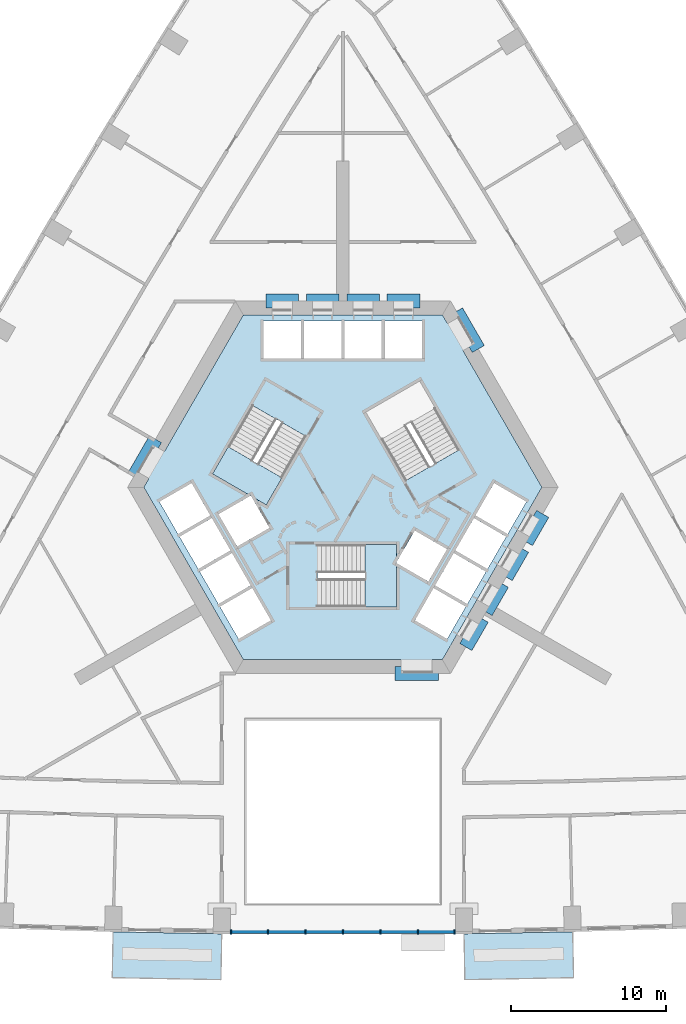
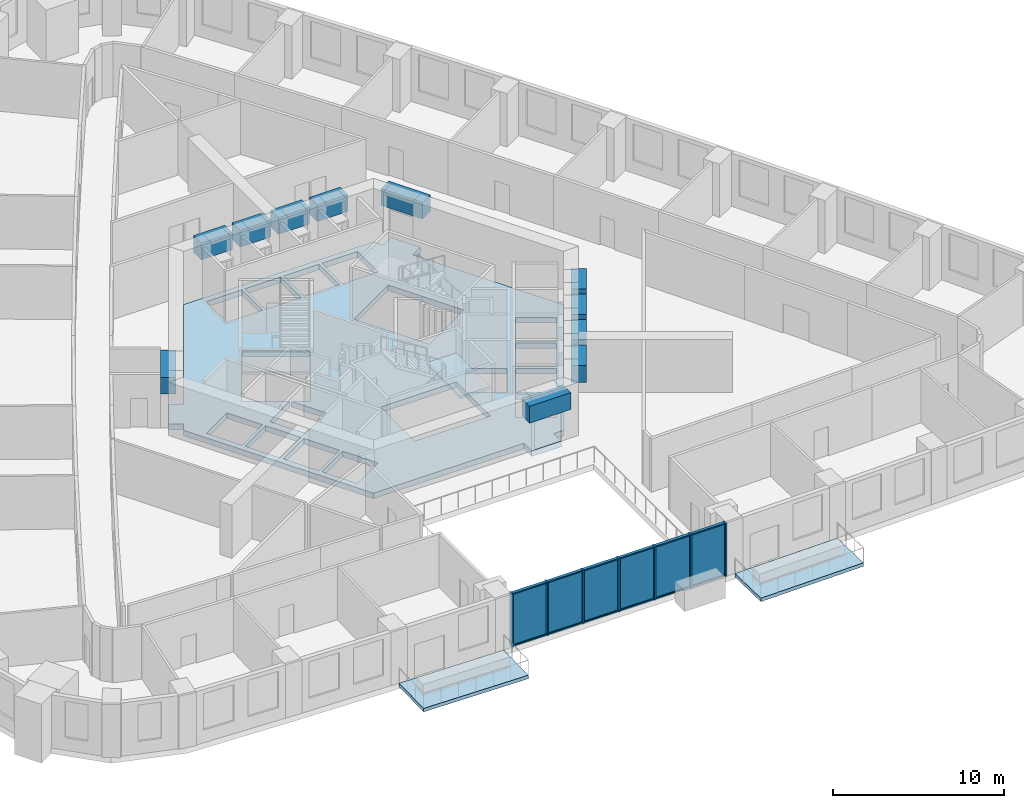
# One storey, part 2 of 13: 19 members, 11 beams, 6 plates, 5 slabs, 3 elements without a shape of their own.
"""IFC4 building model written with IfcOpenShell, lengths in metres."""

from ifc_helpers import new_model, si_unit, direction, frame, origin, origin_2d, place, context, subcontext, project, spatial, polyline, rectangle, outline, extrude, material, layer, layer_set, material_profile, profile_set, type_object, element, aggregate, save


model = new_model("IFC4")

# Units and contexts
model_context = context("Model", 3, precision=1e-05, world=origin(), true_north=direction((0.0, 1.0)))
body_context = subcontext(model_context, "Body", "Model", "MODEL_VIEW")
ifc_project = project(units=[si_unit("LENGTHUNIT", "METRE"), si_unit("AREAUNIT", "SQUARE_METRE"), si_unit("VOLUMEUNIT", "CUBIC_METRE"), si_unit("PLANEANGLEUNIT", "RADIAN"), si_unit("MASSUNIT", "GRAM", prefix="KILO")], contexts=[model_context])

# Site, building, storey
site_placement = place(None, origin())
site = spatial("IfcSite", under=ifc_project, at=site_placement, CompositionType="ELEMENT")
building_placement = place(site_placement, origin())
building = spatial("IfcBuilding", under=site, at=building_placement, Name="Entoto Arch Interchange Tower", CompositionType="ELEMENT")
storey_placement = place(building_placement, frame((0.0, 0.0, 90.800048828125)))
storey = spatial("IfcBuildingStorey", under=building, at=storey_placement, Name="L19", CompositionType="ELEMENT", Elevation=90.800048828125)

# Beams
ifc_material_1 = material(Name="Concrete C60/75", Category="concrete")
ifc_material_profile_1 = material_profile(ifc_material_1, rectangle(XDim=0.89990234375, YDim=1.199951171875, at=origin_2d()))
ifc_profile_set_1 = profile_set([ifc_material_profile_1], Name="Concrete C60/75")
beam_type = type_object("IfcBeamType", Name="Coupling beam RC 900x1200 C60/75", PredefinedType="BEAM", material=ifc_profile_set_1)
beam_1_placement = place(storey_placement, frame((8.717041015625, 11.402099609375, 3.0), z_axis=(-0.500200581029, 0.865909567298, 0.0), x_axis=(-0.865909567298, -0.500200581029, 0.0)))
element("IfcBeam", 1, at=beam_1_placement, inside=storey, type_object=beam_type, Name="Coupling beam NE L19", PredefinedType="BEAM", context=body_context, shape_type="SweptSolid", body=[
    extrude(rectangle(XDim=0.89990234375, YDim=1.199951171875, at=origin_2d()), origin(), (0.0, 0.0, 1.0), 2.799072265625),
])
beam_2_placement = place(storey_placement, frame((4.949951171875, 14.5, 3.0), z_axis=(-1.0, 0.0, 0.0), x_axis=(0.0, -1.0, 0.0)))
element("IfcBeam", 2, at=beam_2_placement, inside=storey, type_object=beam_type, Name="Coupling beam N L19", PredefinedType="BEAM", context=body_context, shape_type="SweptSolid", body=[
    extrude(rectangle(XDim=0.89990234375, YDim=1.199951171875, at=origin_2d()), origin(), (0.0, 0.0, 1.0), 2.099853515625),
])
for number, where, z_axis, x_axis, name in (
    (3, (2.35009765625, 14.5, 3.0), (-1.0, 0.0, 0.0), (0.0, -1.0, 0.0), "Coupling beam N L19"),
    (4, (-0.25, 14.5, 3.0), (-1.0, 0.0, 0.0), (0.0, -1.0, 0.0), "Coupling beam N L19"),
):
    element("IfcBeam", number, at=place(storey_placement, frame(where, z_axis=z_axis, x_axis=x_axis)), inside=storey, type_object=beam_type, Name=name, PredefinedType="BEAM", context=body_context, shape_type="SweptSolid", body=[
        extrude(rectangle(XDim=0.89990234375, YDim=1.199951171875, at=origin_2d()), origin(), (0.0, 0.0, 1.0), 2.10009765625),
    ])
beam_3_placement = place(storey_placement, frame((-2.85009765625, 14.5, 3.0), z_axis=(-1.0, 0.0, 0.0), x_axis=(0.0, -1.0, 0.0)))
element("IfcBeam", 5, at=beam_3_placement, inside=storey, type_object=beam_type, Name="Coupling beam N L19", PredefinedType="BEAM", context=body_context, shape_type="SweptSolid", body=[
    extrude(rectangle(XDim=0.89990234375, YDim=1.199951171875, at=origin_2d()), origin(), (0.0, 0.0, 1.0), 2.099853515625),
])
beam_4_placement = place(storey_placement, frame((-12.06689453125, 5.597900390625, 3.0), z_axis=(-0.500200581029, -0.865909567298, 0.0), x_axis=(0.865909567298, -0.500200581029, 0.0)))
element("IfcBeam", 6, at=beam_4_placement, inside=storey, type_object=beam_type, Name="Coupling beam NW L19", PredefinedType="BEAM", context=body_context, shape_type="SweptSolid", body=[
    extrude(rectangle(XDim=0.89990234375, YDim=1.199951171875, at=origin_2d()), origin(), (0.0, 0.0, 1.0), 2.799072265625),
])
beam_5_placement = place(storey_placement, frame((3.35009765625, -9.5, 3.0), z_axis=(1.0, 0.0, 0.0), x_axis=(0.0, 1.0, 0.0)))
element("IfcBeam", 7, at=beam_5_placement, inside=storey, type_object=beam_type, Name="Coupling beam S L19", PredefinedType="BEAM", context=body_context, shape_type="SweptSolid", body=[
    extrude(rectangle(XDim=0.89990234375, YDim=1.199951171875, at=origin_2d()), origin(), (0.0, 0.0, 1.0), 2.7998046875),
])
for number, where, z_axis, x_axis, name in (
    (8, (7.9169921875, -7.785888671875, 3.0), (0.500178781653, 0.865922159541, 0.0), (-0.865922159541, 0.500178781653, 0.0), "Coupling beam SE L19"),
    (9, (9.217041015625, -5.534912109375, 3.0), (0.500178781653, 0.865922159541, 0.0), (-0.865922159541, 0.500178781653, 0.0), "Coupling beam SE L19"),
):
    element("IfcBeam", number, at=place(storey_placement, frame(where, z_axis=z_axis, x_axis=x_axis)), inside=storey, type_object=beam_type, Name=name, PredefinedType="BEAM", context=body_context, shape_type="SweptSolid", body=[
        extrude(rectangle(XDim=0.89990234375, YDim=1.199951171875, at=origin_2d()), origin(), (0.0, 0.0, 1.0), 2.099365234375),
    ])
beam_6_placement = place(storey_placement, frame((10.51708984375, -3.282958984375, 3.0), z_axis=(0.500091574638, 0.865972526687, 0.0), x_axis=(-0.865972526687, 0.500091574638, 0.0)))
element("IfcBeam", 10, at=beam_6_placement, inside=storey, type_object=beam_type, Name="Coupling beam SE L19", PredefinedType="BEAM", context=body_context, shape_type="SweptSolid", body=[
    extrude(rectangle(XDim=0.89990234375, YDim=1.199951171875, at=origin_2d()), origin(), (0.0, 0.0, 1.0), 2.09912109375),
])
beam_7_placement = place(storey_placement, frame((11.81689453125, -1.031982421875, 3.0), z_axis=(0.500178781653, 0.865922159541, 0.0), x_axis=(-0.865922159541, 0.500178781653, 0.0)))
element("IfcBeam", 11, at=beam_7_placement, inside=storey, type_object=beam_type, Name="Coupling beam SE L19", PredefinedType="BEAM", context=body_context, shape_type="SweptSolid", body=[
    extrude(rectangle(XDim=0.89990234375, YDim=1.199951171875, at=origin_2d()), origin(), (0.0, 0.0, 1.0), 2.099365234375),
])

# Curtain wall, members
ifc_material_2 = material(Name="Aluminium, anodised", Category="aluminium")
curtain_wall_type = type_object("IfcCurtainWallType", Name="CURTAIN WALL ATRIUM", PredefinedType="NOTDEFINED", material=ifc_material_2)
curtain_wall_placement = place(storey_placement, origin())
curtain_wall = element("IfcCurtainWall", 12, at=curtain_wall_placement, inside=storey, type_object=curtain_wall_type, Name="Atrium glazing S-04 L19", PredefinedType="NOTDEFINED")
ifc_material_profile_2 = material_profile(ifc_material_2, rectangle(XDim=0.300048828125, YDim=0.10009765625, at=origin_2d()))
ifc_profile_set_2 = profile_set([ifc_material_profile_2], Name="Aluminium, anodised")
member_type_1 = type_object("IfcMemberType", Name="MULLION ATRIUM 100x300", PredefinedType="MULLION", material=ifc_profile_set_2)
member_1_placement = place(storey_placement, frame((-7.199951171875, -26.1259765625, 0.0), z_axis=(0.0, 0.0, 1.0), x_axis=(0.0, 1.0, 0.0)))
member_1 = element("IfcMember", 13, at=member_1_placement, type_object=member_type_1, Name="CWA mullion 1", PredefinedType="MULLION", context=body_context, shape_type="SweptSolid", body=[
    extrude(rectangle(XDim=0.300048828125, YDim=0.10009765625, at=origin_2d()), origin(), (0.0, 0.0, 1.0), 3.800048828125),
])
member_2_placement = place(storey_placement, frame((-4.833251953125, -26.1259765625, 0.0), z_axis=(0.0, 0.0, 1.0), x_axis=(0.0, 1.0, 0.0)))
member_2 = element("IfcMember", 14, at=member_2_placement, type_object=member_type_1, Name="CWA mullion 2", PredefinedType="MULLION", context=body_context, shape_type="SweptSolid", body=[
    extrude(rectangle(XDim=0.300048828125, YDim=0.10009765625, at=origin_2d()), origin(), (0.0, 0.0, 1.0), 3.800048828125),
])
member_3_placement = place(storey_placement, frame((-2.416748046875, -26.1259765625, 0.0), z_axis=(0.0, 0.0, 1.0), x_axis=(0.0, 1.0, 0.0)))
member_3 = element("IfcMember", 15, at=member_3_placement, type_object=member_type_1, Name="CWA mullion 3", PredefinedType="MULLION", context=body_context, shape_type="SweptSolid", body=[
    extrude(rectangle(XDim=0.300048828125, YDim=0.10009765625, at=origin_2d()), origin(), (0.0, 0.0, 1.0), 3.800048828125),
])
member_4_placement = place(storey_placement, frame((0.0, -26.1259765625, 0.0), z_axis=(0.0, 0.0, 1.0), x_axis=(0.0, 1.0, 0.0)))
member_4 = element("IfcMember", 16, at=member_4_placement, type_object=member_type_1, Name="CWA mullion 4", PredefinedType="MULLION", context=body_context, shape_type="SweptSolid", body=[
    extrude(rectangle(XDim=0.300048828125, YDim=0.10009765625, at=origin_2d()), origin(), (0.0, 0.0, 1.0), 3.800048828125),
])
member_5_placement = place(storey_placement, frame((2.416748046875, -26.1259765625, 0.0), z_axis=(0.0, 0.0, 1.0), x_axis=(0.0, 1.0, 0.0)))
member_5 = element("IfcMember", 17, at=member_5_placement, type_object=member_type_1, Name="CWA mullion 5", PredefinedType="MULLION", context=body_context, shape_type="SweptSolid", body=[
    extrude(rectangle(XDim=0.300048828125, YDim=0.10009765625, at=origin_2d()), origin(), (0.0, 0.0, 1.0), 3.800048828125),
])
member_6_placement = place(storey_placement, frame((4.833251953125, -26.1259765625, 0.0), z_axis=(0.0, 0.0, 1.0), x_axis=(0.0, 1.0, 0.0)))
member_6 = element("IfcMember", 18, at=member_6_placement, type_object=member_type_1, Name="CWA mullion 6", PredefinedType="MULLION", context=body_context, shape_type="SweptSolid", body=[
    extrude(rectangle(XDim=0.300048828125, YDim=0.10009765625, at=origin_2d()), origin(), (0.0, 0.0, 1.0), 3.800048828125),
])
member_7_placement = place(storey_placement, frame((7.199951171875, -26.1259765625, 0.0), z_axis=(0.0, 0.0, 1.0), x_axis=(0.0, 1.0, 0.0)))
member_7 = element("IfcMember", 19, at=member_7_placement, type_object=member_type_1, Name="CWA mullion 7", PredefinedType="MULLION", context=body_context, shape_type="SweptSolid", body=[
    extrude(rectangle(XDim=0.300048828125, YDim=0.10009765625, at=origin_2d()), origin(), (0.0, 0.0, 1.0), 3.800048828125),
])
ifc_material_profile_3 = material_profile(ifc_material_2, rectangle(XDim=0.199951171875, YDim=0.080078125, at=origin_2d()))
ifc_profile_set_3 = profile_set([ifc_material_profile_3], Name="Aluminium, anodised")
member_type_2 = type_object("IfcMemberType", Name="TRANSOM ATRIUM 80x200", PredefinedType="USERDEFINED", material=ifc_profile_set_3)
member_8_placement = place(storey_placement, frame((-7.14990234375, -26.1259765625, 0.0400390625), z_axis=(1.0, 0.0, 0.0), x_axis=(0.0, 1.0, 0.0)))
member_8 = element("IfcMember", 20, at=member_8_placement, type_object=member_type_2, Name="CWA transom 1.1", ObjectType="TRANSOM", PredefinedType="USERDEFINED", context=body_context, shape_type="SweptSolid", body=[
    extrude(rectangle(XDim=0.199951171875, YDim=0.080078125, at=origin_2d()), origin(), (0.0, 0.0, 1.0), 2.2666015625),
])
member_9_placement = place(storey_placement, frame((-7.14990234375, -26.1259765625, 3.760009765625), z_axis=(1.0, 0.0, 0.0), x_axis=(0.0, 1.0, 0.0)))
member_9 = element("IfcMember", 21, at=member_9_placement, type_object=member_type_2, Name="CWA transom 1.2", ObjectType="TRANSOM", PredefinedType="USERDEFINED", context=body_context, shape_type="SweptSolid", body=[
    extrude(rectangle(XDim=0.199951171875, YDim=0.080078125, at=origin_2d()), origin(), (0.0, 0.0, 1.0), 2.2666015625),
])
member_10_placement = place(storey_placement, frame((-4.783447265625, -26.1259765625, 0.0400390625), z_axis=(1.0, 0.0, 0.0), x_axis=(0.0, 1.0, 0.0)))
member_10 = element("IfcMember", 22, at=member_10_placement, type_object=member_type_2, Name="CWA transom 2.1", ObjectType="TRANSOM", PredefinedType="USERDEFINED", context=body_context, shape_type="SweptSolid", body=[
    extrude(rectangle(XDim=0.199951171875, YDim=0.080078125, at=origin_2d()), origin(), (0.0, 0.0, 1.0), 2.31689453125),
])
member_11_placement = place(storey_placement, frame((-4.783447265625, -26.1259765625, 3.760009765625), z_axis=(1.0, 0.0, 0.0), x_axis=(0.0, 1.0, 0.0)))
member_11 = element("IfcMember", 23, at=member_11_placement, type_object=member_type_2, Name="CWA transom 2.2", ObjectType="TRANSOM", PredefinedType="USERDEFINED", context=body_context, shape_type="SweptSolid", body=[
    extrude(rectangle(XDim=0.199951171875, YDim=0.080078125, at=origin_2d()), origin(), (0.0, 0.0, 1.0), 2.31689453125),
])
member_12_placement = place(storey_placement, frame((-2.36669921875, -26.1259765625, 0.0400390625), z_axis=(1.0, 0.0, 0.0), x_axis=(0.0, 1.0, 0.0)))
member_12 = element("IfcMember", 24, at=member_12_placement, type_object=member_type_2, Name="CWA transom 3.1", ObjectType="TRANSOM", PredefinedType="USERDEFINED", context=body_context, shape_type="SweptSolid", body=[
    extrude(rectangle(XDim=0.199951171875, YDim=0.080078125, at=origin_2d()), origin(), (0.0, 0.0, 1.0), 2.316650390625),
])
member_13_placement = place(storey_placement, frame((-2.36669921875, -26.1259765625, 3.760009765625), z_axis=(1.0, 0.0, 0.0), x_axis=(0.0, 1.0, 0.0)))
member_13 = element("IfcMember", 25, at=member_13_placement, type_object=member_type_2, Name="CWA transom 3.2", ObjectType="TRANSOM", PredefinedType="USERDEFINED", context=body_context, shape_type="SweptSolid", body=[
    extrude(rectangle(XDim=0.199951171875, YDim=0.080078125, at=origin_2d()), origin(), (0.0, 0.0, 1.0), 2.316650390625),
])
member_14_placement = place(storey_placement, frame((0.050048828125, -26.1259765625, 0.0400390625), z_axis=(1.0, 0.0, 0.0), x_axis=(0.0, 1.0, 0.0)))
member_14 = element("IfcMember", 26, at=member_14_placement, type_object=member_type_2, Name="CWA transom 4.1", ObjectType="TRANSOM", PredefinedType="USERDEFINED", context=body_context, shape_type="SweptSolid", body=[
    extrude(rectangle(XDim=0.199951171875, YDim=0.080078125, at=origin_2d()), origin(), (0.0, 0.0, 1.0), 2.316650390625),
])
member_15_placement = place(storey_placement, frame((0.050048828125, -26.1259765625, 3.760009765625), z_axis=(1.0, 0.0, 0.0), x_axis=(0.0, 1.0, 0.0)))
member_15 = element("IfcMember", 27, at=member_15_placement, type_object=member_type_2, Name="CWA transom 4.2", ObjectType="TRANSOM", PredefinedType="USERDEFINED", context=body_context, shape_type="SweptSolid", body=[
    extrude(rectangle(XDim=0.199951171875, YDim=0.080078125, at=origin_2d()), origin(), (0.0, 0.0, 1.0), 2.316650390625),
])
member_16_placement = place(storey_placement, frame((2.466552734375, -26.1259765625, 0.0400390625), z_axis=(1.0, 0.0, 0.0), x_axis=(0.0, 1.0, 0.0)))
member_16 = element("IfcMember", 28, at=member_16_placement, type_object=member_type_2, Name="CWA transom 5.1", ObjectType="TRANSOM", PredefinedType="USERDEFINED", context=body_context, shape_type="SweptSolid", body=[
    extrude(rectangle(XDim=0.199951171875, YDim=0.080078125, at=origin_2d()), origin(), (0.0, 0.0, 1.0), 2.31689453125),
])
member_17_placement = place(storey_placement, frame((2.466552734375, -26.1259765625, 3.760009765625), z_axis=(1.0, 0.0, 0.0), x_axis=(0.0, 1.0, 0.0)))
member_17 = element("IfcMember", 29, at=member_17_placement, type_object=member_type_2, Name="CWA transom 5.2", ObjectType="TRANSOM", PredefinedType="USERDEFINED", context=body_context, shape_type="SweptSolid", body=[
    extrude(rectangle(XDim=0.199951171875, YDim=0.080078125, at=origin_2d()), origin(), (0.0, 0.0, 1.0), 2.31689453125),
])
member_18_placement = place(storey_placement, frame((4.88330078125, -26.1259765625, 0.0400390625), z_axis=(1.0, 0.0, 0.0), x_axis=(0.0, 1.0, 0.0)))
member_18 = element("IfcMember", 30, at=member_18_placement, type_object=member_type_2, Name="CWA transom 6.1", ObjectType="TRANSOM", PredefinedType="USERDEFINED", context=body_context, shape_type="SweptSolid", body=[
    extrude(rectangle(XDim=0.199951171875, YDim=0.080078125, at=origin_2d()), origin(), (0.0, 0.0, 1.0), 2.2666015625),
])
member_19_placement = place(storey_placement, frame((4.88330078125, -26.1259765625, 3.760009765625), z_axis=(1.0, 0.0, 0.0), x_axis=(0.0, 1.0, 0.0)))
member_19 = element("IfcMember", 31, at=member_19_placement, type_object=member_type_2, Name="CWA transom 6.2", ObjectType="TRANSOM", PredefinedType="USERDEFINED", context=body_context, shape_type="SweptSolid", body=[
    extrude(rectangle(XDim=0.199951171875, YDim=0.080078125, at=origin_2d()), origin(), (0.0, 0.0, 1.0), 2.2666015625),
])

# Slabs
ifc_material_3 = material(Name="Board-marked precast concrete C50/60", Category="concrete")
ifc_layer_1 = layer(ifc_material_3, 0.25)
ifc_layer_set_1 = layer_set([ifc_layer_1], Name="Board-marked precast concrete C50/60")
slab_type_1 = type_object("IfcSlabType", Name="BALCONY DECK PRECAST 250", PredefinedType="FLOOR", material=ifc_layer_set_1)
slab_1_placement = place(storey_placement, frame((0.0, 0.0, -0.25)))
element("IfcSlab", 32, at=slab_1_placement, inside=storey, type_object=slab_type_1, Name="Planted balcony S-03 L19", PredefinedType="FLOOR", context=body_context, shape_type="SweptSolid", body=[
    extrude(outline(polyline([(-14.794921875, -26.1220703125), (-7.800048828125, -26.2509765625), (-7.85400390625, -29.199951171875), (-14.84912109375, -29.071044921875), (-14.794921875, -26.1220703125)])), origin(), (0.0, 0.0, 1.0), 0.25),
])
slab_2_placement = place(storey_placement, frame((0.0, 0.0, -0.25)))
element("IfcSlab", 33, at=slab_2_placement, inside=storey, type_object=slab_type_1, Name="Planted balcony S-05 L19", PredefinedType="FLOOR", context=body_context, shape_type="SweptSolid", body=[
    extrude(outline(polyline([(7.800048828125, -26.2509765625), (14.794921875, -26.1220703125), (14.84912109375, -29.071044921875), (7.85400390625, -29.199951171875), (7.800048828125, -26.2509765625)])), origin(), (0.0, 0.0, 1.0), 0.25),
])
ifc_material_4 = material(Name="Concrete C40/50", Category="concrete")
ifc_layer_2 = layer(ifc_material_4, 0.39990234375)
ifc_layer_set_2 = layer_set([ifc_layer_2], Name="Concrete C40/50")
slab_type_2 = type_object("IfcSlabType", Name="Core floor slab 400 C40/50", PredefinedType="FLOOR", material=ifc_layer_set_2)
slab_3_placement = place(storey_placement, frame((0.0, 0.0, -0.400146484375)))
element("IfcSlab", 34, at=slab_3_placement, inside=storey, type_object=slab_type_2, Name="Core floor slab L19", PredefinedType="FLOOR", context=body_context, shape_type="SweptSolid", body=[
    extrude(outline(polyline([(5.75, -9.5), (3.75, -9.5), (3.75, -8.60009765625), (-6.408935546875, -8.60009765625), (-12.81689453125, 2.5), (-12.488037109375, 3.070068359375), (-13.26708984375, 3.52001953125), (-12.26708984375, 5.251953125), (-11.488037109375, 4.802001953125), (-6.408935546875, 13.60009765625), (6.408935546875, 13.60009765625), (6.738037109375, 13.030029296875), (7.51708984375, 13.47998046875), (8.51708984375, 11.748046875), (7.738037109375, 11.298095703125), (12.81689453125, 2.5), (6.408935546875, -8.60009765625), (5.75, -8.60009765625), (5.75, -9.5)]), holes=[polyline([(-4.637939453125, -6.06689453125), (-5.837890625, -3.988037109375), (-7.916015625, -5.18798828125), (-6.716064453125, -7.26708984375), (-4.637939453125, -6.06689453125)]), polyline([(-5.93798828125, -3.81494140625), (-7.137939453125, -1.737060546875), (-9.216064453125, -2.93701171875), (-8.01611328125, -5.014892578125), (-5.93798828125, -3.81494140625)]), polyline([(5.5048828125, -3.56494140625), (6.705078125, -1.487060546875), (4.626953125, -0.287109375), (3.449951171875, -2.324951171875), (3.449951171875, -1.199951171875), (-1.64990234375, -1.199951171875), (-1.64990234375, -5.199951171875), (3.449951171875, -5.199951171875), (3.449951171875, -2.3779296875), (5.5048828125, -3.56494140625)]), polyline([(-7.238037109375, -1.56298828125), (-8.43798828125, 0.514892578125), (-10.51611328125, -0.68505859375), (-9.31591796875, -2.762939453125), (-7.238037109375, -1.56298828125)]), polyline([(-4.72705078125, -0.113037109375), (-5.904052734375, 1.925048828125), (-4.928955078125, 1.362060546875), (-2.37890625, 5.779052734375), (-5.843017578125, 7.779052734375), (-8.39306640625, 3.362060546875), (-5.949951171875, 1.951904296875), (-8.0048828125, 0.764892578125), (-6.804931640625, -1.31298828125), (-4.72705078125, -0.113037109375)]), polyline([(-8.5380859375, 0.68798828125), (-9.738037109375, 2.76708984375), (-11.81591796875, 1.56689453125), (-10.615966796875, -0.511962890625), (-8.5380859375, 0.68798828125)]), polyline([(-5.10009765625, 10.800048828125), (-2.699951171875, 10.800048828125), (-2.699951171875, 13.199951171875), (-5.10009765625, 13.199951171875), (-5.10009765625, 10.800048828125)]), polyline([(-2.5, 10.800048828125), (-0.10009765625, 10.800048828125), (-0.10009765625, 13.199951171875), (-2.5, 13.199951171875), (-2.5, 10.800048828125)]), polyline([(5.837890625, -3.988037109375), (4.637939453125, -6.06689453125), (6.716064453125, -7.26708984375), (7.916015625, -5.18798828125), (5.837890625, -3.988037109375)]), polyline([(7.137939453125, -1.737060546875), (5.93798828125, -3.81494140625), (8.01611328125, -5.014892578125), (9.216064453125, -2.93701171875), (7.137939453125, -1.737060546875)]), polyline([(8.43798828125, 0.514892578125), (7.238037109375, -1.56298828125), (9.31591796875, -2.762939453125), (10.51611328125, -0.68505859375), (8.43798828125, 0.514892578125)]), polyline([(9.738037109375, 2.76708984375), (8.5380859375, 0.68798828125), (10.615966796875, -0.511962890625), (11.81591796875, 1.56689453125), (9.738037109375, 2.76708984375)]), polyline([(4.029052734375, 2.9208984375), (7.492919921875, 4.9208984375), (4.943115234375, 9.337890625), (1.47900390625, 7.337890625), (4.029052734375, 2.9208984375)]), polyline([(0.10009765625, 13.199951171875), (0.10009765625, 10.800048828125), (2.5, 10.800048828125), (2.5, 13.199951171875), (0.10009765625, 13.199951171875)]), polyline([(2.699951171875, 13.199951171875), (2.699951171875, 10.800048828125), (5.10009765625, 10.800048828125), (5.10009765625, 13.199951171875), (2.699951171875, 13.199951171875)])]), origin(), (0.0, 0.0, 1.0), 0.400146484375),
])

# Stair, slab
stair_type = type_object("IfcStairType", Name="EXIT STAIR RC 1800", PredefinedType="HALF_TURN_STAIR", material=ifc_material_4)
stair_1_placement = place(storey_placement, origin())
stair_1 = element("IfcStair", 35, at=stair_1_placement, inside=storey, type_object=stair_type, Name="L19 Exit stair S", PredefinedType="HALF_TURN_STAIR")
ifc_layer_3 = layer(ifc_material_4, 0.199951171875)
ifc_layer_set_3 = layer_set([ifc_layer_3], Name="Concrete C40/50")
slab_type_3 = type_object("IfcSlabType", Name="EXIT STAIR LANDING RC 200", PredefinedType="LANDING", material=ifc_layer_set_3)
slab_4_placement = place(storey_placement, frame((0.0, 0.0, 1.89990234375)))
slab_4 = element("IfcSlab", 36, at=slab_4_placement, type_object=slab_type_3, Name="ST-S landing 1", PredefinedType="LANDING", context=body_context, shape_type="SweptSolid", body=[
    extrude(outline(polyline([(1.429931640625, -5.199951171875), (3.449951171875, -5.199951171875), (3.449951171875, -1.199951171875), (1.429931640625, -1.199951171875), (1.429931640625, -5.199951171875)])), origin(), (0.0, 0.0, 1.0), 0.199951171875),
])
aggregate(stair_1, [slab_4])

stair_2_placement = place(storey_placement, origin())
stair_2 = element("IfcStair", 37, at=stair_2_placement, inside=storey, type_object=stair_type, Name="L19 Exit stair NW", PredefinedType="HALF_TURN_STAIR")
slab_5_placement = place(storey_placement, frame((0.0, 0.0, 1.89990234375)))
slab_5 = element("IfcSlab", 38, at=slab_5_placement, type_object=slab_type_3, Name="ST-NW landing 1", PredefinedType="LANDING", context=body_context, shape_type="SweptSolid", body=[
    extrude(outline(polyline([(-7.38330078125, 5.111572265625), (-8.393310546875, 3.3623046875), (-4.92919921875, 1.3623046875), (-3.919189453125, 3.111572265625), (-7.38330078125, 5.111572265625)])), origin(), (0.0, 0.0, 1.0), 0.199951171875),
])
aggregate(stair_2, [slab_5])

# Plate
ifc_material_5 = material(Name="Clear glass, low-e double glazed", Category="glass")
ifc_layer_4 = layer(ifc_material_5, 0.031982421875)
ifc_layer_set_4 = layer_set([ifc_layer_4], Name="Clear glass, low-e double glazed")
plate_type = type_object("IfcPlateType", Name="GLAZING PANEL ATRIUM 32", PredefinedType="CURTAIN_PANEL", material=ifc_layer_set_4)
plate_1_placement = place(storey_placement, frame((-6.0166015625, -26.1259765625, 0.080078125), z_axis=(0.0, 0.0, 1.0), x_axis=(1.0, 0.0, 0.0)))
plate_1 = element("IfcPlate", 39, at=plate_1_placement, type_object=plate_type, Name="CWA panel 1.1", PredefinedType="CURTAIN_PANEL", context=body_context, shape_type="SweptSolid", body=[
    extrude(rectangle(XDim=2.2666015625, YDim=0.031982421875, at=origin_2d()), origin(), (0.0, 0.0, 1.0), 3.639892578125),
])

plate_2_placement = place(storey_placement, frame((-3.625, -26.1259765625, 0.080078125), z_axis=(0.0, 0.0, 1.0), x_axis=(1.0, 0.0, 0.0)))
plate_2 = element("IfcPlate", 40, at=plate_2_placement, type_object=plate_type, Name="CWA panel 2.1", PredefinedType="CURTAIN_PANEL", context=body_context, shape_type="SweptSolid", body=[
    extrude(rectangle(XDim=2.316650390625, YDim=0.031982421875, at=origin_2d()), origin(), (0.0, 0.0, 1.0), 3.639892578125),
])

plate_3_placement = place(storey_placement, frame((-1.208251953125, -26.1259765625, 0.080078125), z_axis=(0.0, 0.0, 1.0), x_axis=(1.0, 0.0, 0.0)))
plate_3 = element("IfcPlate", 41, at=plate_3_placement, type_object=plate_type, Name="CWA panel 3.1", PredefinedType="CURTAIN_PANEL", context=body_context, shape_type="SweptSolid", body=[
    extrude(rectangle(XDim=2.316650390625, YDim=0.031982421875, at=origin_2d()), origin(), (0.0, 0.0, 1.0), 3.639892578125),
])

plate_4_placement = place(storey_placement, frame((1.208251953125, -26.1259765625, 0.080078125), z_axis=(0.0, 0.0, 1.0), x_axis=(1.0, 0.0, 0.0)))
plate_4 = element("IfcPlate", 42, at=plate_4_placement, type_object=plate_type, Name="CWA panel 4.1", PredefinedType="CURTAIN_PANEL", context=body_context, shape_type="SweptSolid", body=[
    extrude(rectangle(XDim=2.316650390625, YDim=0.031982421875, at=origin_2d()), origin(), (0.0, 0.0, 1.0), 3.639892578125),
])

plate_5_placement = place(storey_placement, frame((3.625, -26.1259765625, 0.080078125), z_axis=(0.0, 0.0, 1.0), x_axis=(1.0, 0.0, 0.0)))
plate_5 = element("IfcPlate", 43, at=plate_5_placement, type_object=plate_type, Name="CWA panel 5.1", PredefinedType="CURTAIN_PANEL", context=body_context, shape_type="SweptSolid", body=[
    extrude(rectangle(XDim=2.316650390625, YDim=0.031982421875, at=origin_2d()), origin(), (0.0, 0.0, 1.0), 3.639892578125),
])

plate_6_placement = place(storey_placement, frame((6.0166015625, -26.1259765625, 0.080078125), z_axis=(0.0, 0.0, 1.0), x_axis=(1.0, 0.0, 0.0)))
plate_6 = element("IfcPlate", 44, at=plate_6_placement, type_object=plate_type, Name="CWA panel 6.1", PredefinedType="CURTAIN_PANEL", context=body_context, shape_type="SweptSolid", body=[
    extrude(rectangle(XDim=2.2666015625, YDim=0.031982421875, at=origin_2d()), origin(), (0.0, 0.0, 1.0), 3.639892578125),
])

aggregate(curtain_wall, [member_1, member_2, member_3, member_4, member_5, member_6, member_7, member_8, member_9, plate_1, member_10, member_11, plate_2, member_12, member_13, plate_3, member_14, member_15, plate_4, member_16, member_17, plate_5, member_18, member_19, plate_6])

save(model, "model.ifc")
